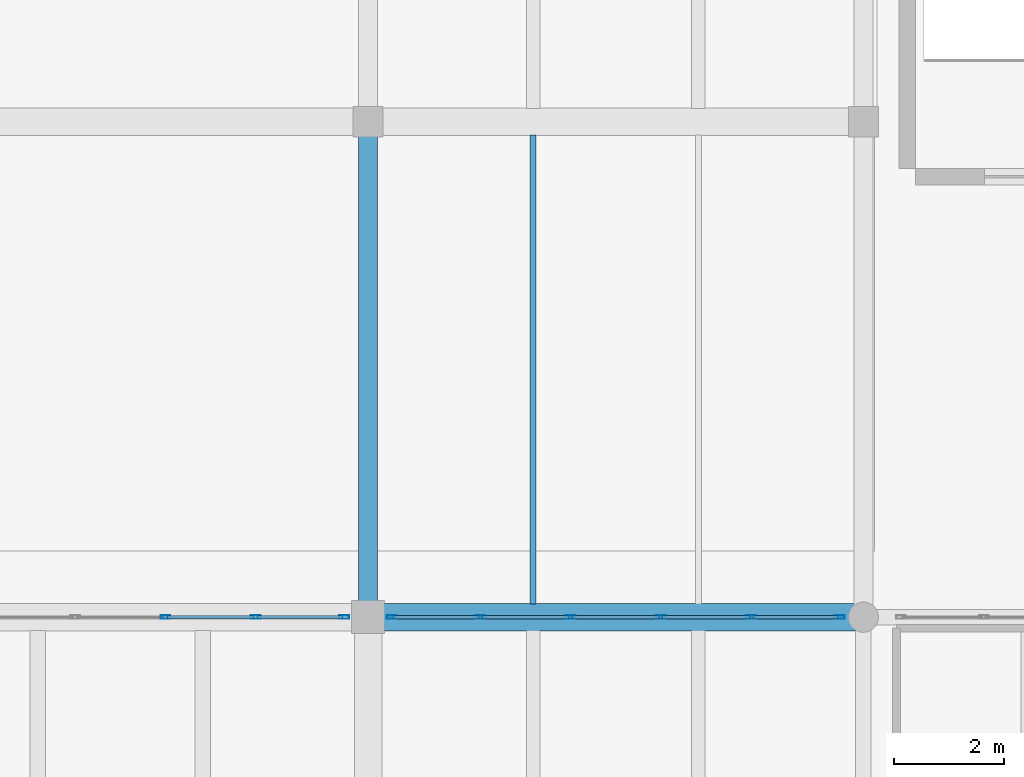
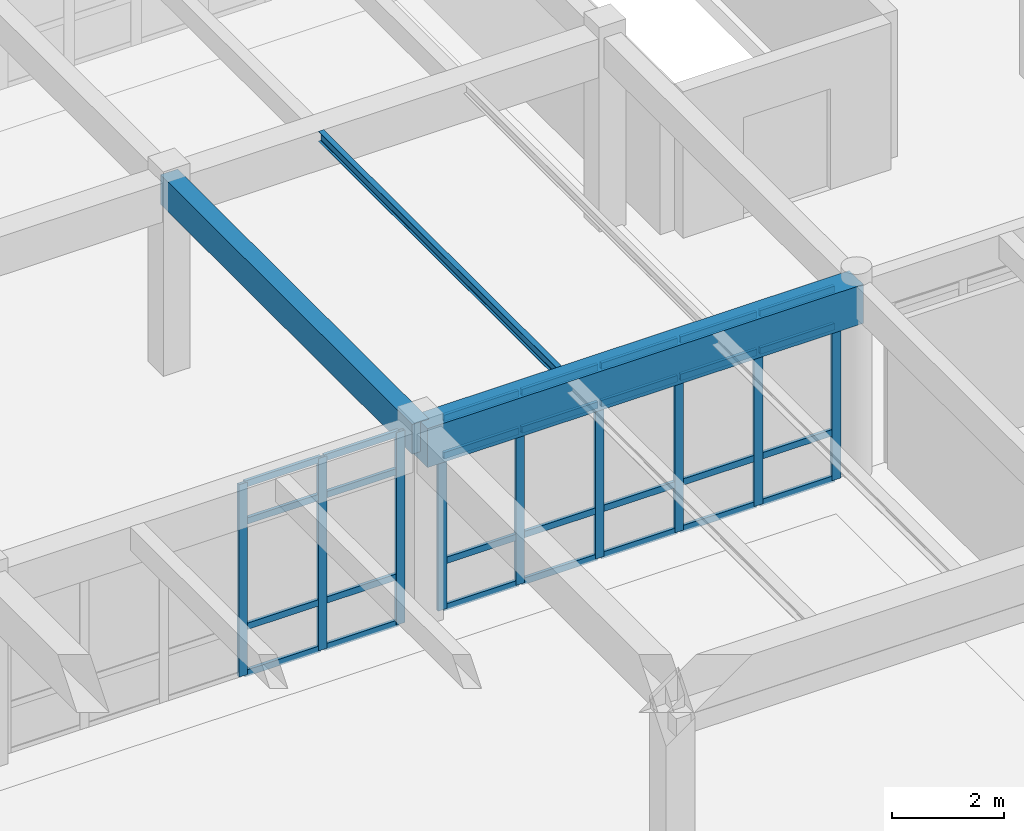
# One storey, part 86 of 186: 37 members, 3 beams, 2 elements without a shape of their own.
"""IFC4 building model written with IfcOpenShell, lengths in metres."""

from ifc_helpers import new_model, si_unit, direction, frame, origin, origin_2d, place, context, subcontext, project, spatial, rectangle, hollow_rectangle, i_section, extrude, material, layer, layer_set, material_profile, profile_set, type_object, element, aggregate, save


model = new_model("IFC4")

# Units and contexts
model_context = context("Model", 3, precision=1e-05, world=origin(), true_north=direction((0.0, 1.0)))
body_context = subcontext(model_context, "Body", "Model", "MODEL_VIEW")
ifc_project = project(units=[si_unit("LENGTHUNIT", "METRE"), si_unit("AREAUNIT", "SQUARE_METRE"), si_unit("VOLUMEUNIT", "CUBIC_METRE"), si_unit("PLANEANGLEUNIT", "RADIAN"), si_unit("MASSUNIT", "GRAM", prefix="KILO")], contexts=[model_context])

# Site, building, storey
site_placement = place(None, origin())
site = spatial("IfcSite", under=ifc_project, at=site_placement, CompositionType="ELEMENT")
building_placement = place(site_placement, origin())
building = spatial("IfcBuilding", under=site, at=building_placement, Name="Ornek Quay Market", CompositionType="ELEMENT")
storey_placement = place(building_placement, origin())
storey = spatial("IfcBuildingStorey", under=building, at=storey_placement, Name="L00", CompositionType="ELEMENT", Elevation=0.0)

# Beams
ifc_material_1 = material(Name="Concrete C35/45", Category="concrete")
ifc_material_profile_1 = material_profile(ifc_material_1, rectangle(XDim=0.35009765625, YDim=0.64990234375, at=origin_2d()), Name="RC 350x650", Category="concrete")
ifc_profile_set_1 = profile_set([ifc_material_profile_1], Name="Concrete C35/45")
beam_type_1 = type_object("IfcBeamType", Name="BM-CONC-350x650", PredefinedType="BEAM", material=ifc_profile_set_1)
beam_1_placement = place(storey_placement, frame((99.0, 92.0, 3.9150390625), z_axis=(0.0, 1.0, 0.0), x_axis=(-1.0, 0.0, 0.0)))
element("IfcBeam", 1, at=beam_1_placement, inside=storey, type_object=beam_type_1, Name="Primary beam B-CN1-105", PredefinedType="BEAM", context=body_context, shape_type="SweptSolid", body=[
    extrude(rectangle(XDim=0.35009765625, YDim=0.64990234375, at=origin_2d()), origin(), (0.0, 0.0, 1.0), 9.0),
])
ifc_material_2 = material(Name="Concrete C40/50", Category="concrete")
ifc_material_profile_2 = material_profile(ifc_material_2, rectangle(XDim=0.5, YDim=0.85009765625, at=origin_2d()), Name="RC 500x850", Category="concrete")
ifc_profile_set_2 = profile_set([ifc_material_profile_2], Name="Concrete C40/50")
beam_type_2 = type_object("IfcBeamType", Name="BM-GAL-500x850", PredefinedType="BEAM", material=ifc_profile_set_2)
beam_2_placement = place(storey_placement, frame((99.0, 92.0, 3.81494140625), z_axis=(1.0, 0.0, 0.0), x_axis=(0.0, 1.0, 0.0)))
element("IfcBeam", 2, at=beam_2_placement, inside=storey, type_object=beam_type_2, Name="Primary beam B-GL1-054", PredefinedType="BEAM", context=body_context, shape_type="SweptSolid", body=[
    extrude(rectangle(XDim=0.5, YDim=0.85009765625, at=origin_2d()), origin(), (0.0, 0.0, 1.0), 9.0),
])
ifc_material_3 = material(Name="Steel S355", Category="steel")
ifc_material_profile_3 = material_profile(ifc_material_3, i_section(OverallWidth=0.110107421875, OverallDepth=0.219970703125, WebThickness=0.005859375, FlangeThickness=0.00927734375, FilletRadius=0.011962890625, at=origin_2d()), Name="IPE 220", Category="steel")
ifc_profile_set_3 = profile_set([ifc_material_profile_3], Name="Steel S355")
beam_type_3 = type_object("IfcBeamType", Name="BM-STL-IPE220", PredefinedType="JOIST", material=ifc_profile_set_3)
beam_3_placement = place(storey_placement, frame((102.0, 92.241943359375, 4.1298828125), z_axis=(0.0, 1.0, 0.0), x_axis=(-1.0, 0.0, 0.0)))
element("IfcBeam", 3, at=beam_3_placement, inside=storey, type_object=beam_type_3, Name="Secondary joist SB-03-018", PredefinedType="JOIST", context=body_context, shape_type="SweptSolid", body=[
    extrude(i_section(OverallWidth=0.110107421875, OverallDepth=0.219970703125, WebThickness=0.005859375, FlangeThickness=0.00927734375, FilletRadius=0.011962890625, at=origin_2d()), origin(), (0.0, 0.0, 1.0), 8.51611328125),
])

# Curtain wall, members
ifc_material_4 = material(Name="Anodised bronze aluminium and triple low-e glass", Category="aluminium")
ifc_layer = layer(ifc_material_4, 0.139892578125, Name="Anodised bronze aluminium and triple low-e glass", Category="aluminium")
ifc_layer_set = layer_set([ifc_layer], Name="Anodised bronze aluminium and triple low-e glass")
curtain_wall_type = type_object("IfcCurtainWallType", Name="CW-GALLERY-INT", PredefinedType="USERDEFINED", material=ifc_layer_set)
curtain_wall_1_placement = place(storey_placement, origin())
curtain_wall_1 = element("IfcCurtainWall", 4, at=curtain_wall_1_placement, inside=storey, type_object=curtain_wall_type, Name="Curtain wall CW-124", ObjectType="CURTAIN WALL", PredefinedType="USERDEFINED")
ifc_material_5 = material(Name="Anodised aluminium 6063-T6", Category="aluminium")
ifc_material_profile_4 = material_profile(ifc_material_5, hollow_rectangle(XDim=0.06494140625, YDim=0.179931640625, WallThickness=0.00439453125, at=origin_2d()), Name="CW-MUL-65x180", Category="aluminium")
ifc_profile_set_4 = profile_set([ifc_material_profile_4], Name="Anodised aluminium 6063-T6")
member_type_1 = type_object("IfcMemberType", Name="CW-MUL-65x180", PredefinedType="MULLION", material=ifc_profile_set_4)
member_1_placement = place(storey_placement, frame((95.320068359375, 92.0, 0.0), z_axis=(0.0, 0.0, 1.0), x_axis=(0.0, 1.0, 0.0)))
member_1 = element("IfcMember", 5, at=member_1_placement, type_object=member_type_1, Name="CW-124 mullion 4", PredefinedType="MULLION", context=body_context, shape_type="SweptSolid", body=[
    extrude(hollow_rectangle(XDim=0.06494140625, YDim=0.179931640625, WallThickness=0.00439453125, at=origin_2d()), origin(), (0.0, 0.0, 1.0), 4.199951171875),
])
member_2_placement = place(storey_placement, frame((96.9599609375, 92.0, 0.0), z_axis=(0.0, 0.0, 1.0), x_axis=(0.0, 1.0, 0.0)))
member_2 = element("IfcMember", 6, at=member_2_placement, type_object=member_type_1, Name="CW-124 mullion 5", PredefinedType="MULLION", context=body_context, shape_type="SweptSolid", body=[
    extrude(hollow_rectangle(XDim=0.06494140625, YDim=0.179931640625, WallThickness=0.00439453125, at=origin_2d()), origin(), (0.0, 0.0, 1.0), 4.199951171875),
])
member_3_placement = place(storey_placement, frame((98.5673828125, 92.0, 0.0), z_axis=(0.0, 0.0, 1.0), x_axis=(0.0, 1.0, 0.0)))
member_3 = element("IfcMember", 7, at=member_3_placement, type_object=member_type_1, Name="CW-124 mullion 6", PredefinedType="MULLION", context=body_context, shape_type="SweptSolid", body=[
    extrude(hollow_rectangle(XDim=0.06494140625, YDim=0.179931640625, WallThickness=0.00439453125, at=origin_2d()), origin(), (0.0, 0.0, 1.0), 4.199951171875),
])

curtain_wall_2_placement = place(storey_placement, origin())
curtain_wall_2 = element("IfcCurtainWall", 8, at=curtain_wall_2_placement, inside=storey, type_object=curtain_wall_type, Name="Curtain wall CW-125", ObjectType="CURTAIN WALL", PredefinedType="USERDEFINED")
member_4_placement = place(storey_placement, frame((99.4326171875, 92.0, 0.0), z_axis=(0.0, 0.0, 1.0), x_axis=(0.0, 1.0, 0.0)))
member_4 = element("IfcMember", 9, at=member_4_placement, type_object=member_type_1, Name="CW-125 mullion 1", PredefinedType="MULLION", context=body_context, shape_type="SweptSolid", body=[
    extrude(hollow_rectangle(XDim=0.06494140625, YDim=0.179931640625, WallThickness=0.00439453125, at=origin_2d()), origin(), (0.0, 0.0, 1.0), 4.199951171875),
])
member_5_placement = place(storey_placement, frame((101.0400390625, 92.0, 0.0), z_axis=(0.0, 0.0, 1.0), x_axis=(0.0, 1.0, 0.0)))
member_5 = element("IfcMember", 10, at=member_5_placement, type_object=member_type_1, Name="CW-125 mullion 2", PredefinedType="MULLION", context=body_context, shape_type="SweptSolid", body=[
    extrude(hollow_rectangle(XDim=0.06494140625, YDim=0.179931640625, WallThickness=0.00439453125, at=origin_2d()), origin(), (0.0, 0.0, 1.0), 4.199951171875),
])
member_6_placement = place(storey_placement, frame((102.679931640625, 92.0, 0.0), z_axis=(0.0, 0.0, 1.0), x_axis=(0.0, 1.0, 0.0)))
member_6 = element("IfcMember", 11, at=member_6_placement, type_object=member_type_1, Name="CW-125 mullion 3", PredefinedType="MULLION", context=body_context, shape_type="SweptSolid", body=[
    extrude(hollow_rectangle(XDim=0.06494140625, YDim=0.179931640625, WallThickness=0.00439453125, at=origin_2d()), origin(), (0.0, 0.0, 1.0), 4.199951171875),
])
member_7_placement = place(storey_placement, frame((104.320068359375, 92.0, 0.0), z_axis=(0.0, 0.0, 1.0), x_axis=(0.0, 1.0, 0.0)))
member_7 = element("IfcMember", 12, at=member_7_placement, type_object=member_type_1, Name="CW-125 mullion 4", PredefinedType="MULLION", context=body_context, shape_type="SweptSolid", body=[
    extrude(hollow_rectangle(XDim=0.06494140625, YDim=0.179931640625, WallThickness=0.00439453125, at=origin_2d()), origin(), (0.0, 0.0, 1.0), 4.199951171875),
])
member_8_placement = place(storey_placement, frame((105.9599609375, 92.0, 0.0), z_axis=(0.0, 0.0, 1.0), x_axis=(0.0, 1.0, 0.0)))
member_8 = element("IfcMember", 13, at=member_8_placement, type_object=member_type_1, Name="CW-125 mullion 5", PredefinedType="MULLION", context=body_context, shape_type="SweptSolid", body=[
    extrude(hollow_rectangle(XDim=0.06494140625, YDim=0.179931640625, WallThickness=0.00439453125, at=origin_2d()), origin(), (0.0, 0.0, 1.0), 4.199951171875),
])
member_9_placement = place(storey_placement, frame((107.5673828125, 92.0, 0.0), z_axis=(0.0, 0.0, 1.0), x_axis=(0.0, 1.0, 0.0)))
member_9 = element("IfcMember", 14, at=member_9_placement, type_object=member_type_1, Name="CW-125 mullion 6", PredefinedType="MULLION", context=body_context, shape_type="SweptSolid", body=[
    extrude(hollow_rectangle(XDim=0.06494140625, YDim=0.179931640625, WallThickness=0.00439453125, at=origin_2d()), origin(), (0.0, 0.0, 1.0), 4.199951171875),
])

# Member
ifc_material_profile_5 = material_profile(ifc_material_5, hollow_rectangle(XDim=0.06494140625, YDim=0.139892578125, WallThickness=0.00439453125, at=origin_2d()), Name="CW-TRN-65x140", Category="aluminium")
ifc_profile_set_5 = profile_set([ifc_material_profile_5], Name="Anodised aluminium 6063-T6")
member_type_2 = type_object("IfcMemberType", Name="CW-TRN-65x140", PredefinedType="USERDEFINED", material=ifc_profile_set_5)
member_10_placement = place(storey_placement, frame((95.3525390625, 92.0, 0.032470703125), z_axis=(1.0, 0.0, 0.0), x_axis=(0.0, 1.0, 0.0)))
member_10 = element("IfcMember", 15, at=member_10_placement, type_object=member_type_2, Name="CW-124 transom 4.1", ObjectType="TRANSOM", PredefinedType="USERDEFINED", context=body_context, shape_type="SweptSolid", body=[
    extrude(hollow_rectangle(XDim=0.06494140625, YDim=0.139892578125, WallThickness=0.00439453125, at=origin_2d()), origin(), (0.0, 0.0, 1.0), 1.574951171875),
])

member_11_placement = place(storey_placement, frame((95.3525390625, 92.0, 1.050048828125), z_axis=(1.0, 0.0, 0.0), x_axis=(0.0, 1.0, 0.0)))
member_11 = element("IfcMember", 16, at=member_11_placement, type_object=member_type_2, Name="CW-124 transom 4.2", ObjectType="TRANSOM", PredefinedType="USERDEFINED", context=body_context, shape_type="SweptSolid", body=[
    extrude(hollow_rectangle(XDim=0.06494140625, YDim=0.139892578125, WallThickness=0.00439453125, at=origin_2d()), origin(), (0.0, 0.0, 1.0), 1.574951171875),
])

member_12_placement = place(storey_placement, frame((95.3525390625, 92.0, 3.35009765625), z_axis=(1.0, 0.0, 0.0), x_axis=(0.0, 1.0, 0.0)))
member_12 = element("IfcMember", 17, at=member_12_placement, type_object=member_type_2, Name="CW-124 transom 4.3", ObjectType="TRANSOM", PredefinedType="USERDEFINED", context=body_context, shape_type="SweptSolid", body=[
    extrude(hollow_rectangle(XDim=0.06494140625, YDim=0.139892578125, WallThickness=0.00439453125, at=origin_2d()), origin(), (0.0, 0.0, 1.0), 1.574951171875),
])

member_13_placement = place(storey_placement, frame((95.3525390625, 92.0, 4.16748046875), z_axis=(1.0, 0.0, 0.0), x_axis=(0.0, 1.0, 0.0)))
member_13 = element("IfcMember", 18, at=member_13_placement, type_object=member_type_2, Name="CW-124 transom 4.4", ObjectType="TRANSOM", PredefinedType="USERDEFINED", context=body_context, shape_type="SweptSolid", body=[
    extrude(hollow_rectangle(XDim=0.06494140625, YDim=0.139892578125, WallThickness=0.00439453125, at=origin_2d()), origin(), (0.0, 0.0, 1.0), 1.574951171875),
])

member_14_placement = place(storey_placement, frame((96.992431640625, 92.0, 0.032470703125), z_axis=(1.0, 0.0, 0.0), x_axis=(0.0, 1.0, 0.0)))
member_14 = element("IfcMember", 19, at=member_14_placement, type_object=member_type_2, Name="CW-124 transom 5.1", ObjectType="TRANSOM", PredefinedType="USERDEFINED", context=body_context, shape_type="SweptSolid", body=[
    extrude(hollow_rectangle(XDim=0.06494140625, YDim=0.139892578125, WallThickness=0.00439453125, at=origin_2d()), origin(), (0.0, 0.0, 1.0), 1.54248046875),
])

member_15_placement = place(storey_placement, frame((96.992431640625, 92.0, 1.050048828125), z_axis=(1.0, 0.0, 0.0), x_axis=(0.0, 1.0, 0.0)))
member_15 = element("IfcMember", 20, at=member_15_placement, type_object=member_type_2, Name="CW-124 transom 5.2", ObjectType="TRANSOM", PredefinedType="USERDEFINED", context=body_context, shape_type="SweptSolid", body=[
    extrude(hollow_rectangle(XDim=0.06494140625, YDim=0.139892578125, WallThickness=0.00439453125, at=origin_2d()), origin(), (0.0, 0.0, 1.0), 1.54248046875),
])

member_16_placement = place(storey_placement, frame((96.992431640625, 92.0, 3.35009765625), z_axis=(1.0, 0.0, 0.0), x_axis=(0.0, 1.0, 0.0)))
member_16 = element("IfcMember", 21, at=member_16_placement, type_object=member_type_2, Name="CW-124 transom 5.3", ObjectType="TRANSOM", PredefinedType="USERDEFINED", context=body_context, shape_type="SweptSolid", body=[
    extrude(hollow_rectangle(XDim=0.06494140625, YDim=0.139892578125, WallThickness=0.00439453125, at=origin_2d()), origin(), (0.0, 0.0, 1.0), 1.54248046875),
])

member_17_placement = place(storey_placement, frame((96.992431640625, 92.0, 4.16748046875), z_axis=(1.0, 0.0, 0.0), x_axis=(0.0, 1.0, 0.0)))
member_17 = element("IfcMember", 22, at=member_17_placement, type_object=member_type_2, Name="CW-124 transom 5.4", ObjectType="TRANSOM", PredefinedType="USERDEFINED", context=body_context, shape_type="SweptSolid", body=[
    extrude(hollow_rectangle(XDim=0.06494140625, YDim=0.139892578125, WallThickness=0.00439453125, at=origin_2d()), origin(), (0.0, 0.0, 1.0), 1.54248046875),
])

aggregate(curtain_wall_1, [member_1, member_2, member_3, member_10, member_11, member_12, member_13, member_14, member_15, member_16, member_17])

member_18_placement = place(storey_placement, frame((99.465087890625, 92.0, 0.032470703125), z_axis=(1.0, 0.0, 0.0), x_axis=(0.0, 1.0, 0.0)))
member_18 = element("IfcMember", 23, at=member_18_placement, type_object=member_type_2, Name="CW-125 transom 1.1", ObjectType="TRANSOM", PredefinedType="USERDEFINED", context=body_context, shape_type="SweptSolid", body=[
    extrude(hollow_rectangle(XDim=0.06494140625, YDim=0.139892578125, WallThickness=0.00439453125, at=origin_2d()), origin(), (0.0, 0.0, 1.0), 1.54248046875),
])

member_19_placement = place(storey_placement, frame((99.465087890625, 92.0, 1.050048828125), z_axis=(1.0, 0.0, 0.0), x_axis=(0.0, 1.0, 0.0)))
member_19 = element("IfcMember", 24, at=member_19_placement, type_object=member_type_2, Name="CW-125 transom 1.2", ObjectType="TRANSOM", PredefinedType="USERDEFINED", context=body_context, shape_type="SweptSolid", body=[
    extrude(hollow_rectangle(XDim=0.06494140625, YDim=0.139892578125, WallThickness=0.00439453125, at=origin_2d()), origin(), (0.0, 0.0, 1.0), 1.54248046875),
])

member_20_placement = place(storey_placement, frame((99.465087890625, 92.0, 3.35009765625), z_axis=(1.0, 0.0, 0.0), x_axis=(0.0, 1.0, 0.0)))
member_20 = element("IfcMember", 25, at=member_20_placement, type_object=member_type_2, Name="CW-125 transom 1.3", ObjectType="TRANSOM", PredefinedType="USERDEFINED", context=body_context, shape_type="SweptSolid", body=[
    extrude(hollow_rectangle(XDim=0.06494140625, YDim=0.139892578125, WallThickness=0.00439453125, at=origin_2d()), origin(), (0.0, 0.0, 1.0), 1.54248046875),
])

member_21_placement = place(storey_placement, frame((99.465087890625, 92.0, 4.16748046875), z_axis=(1.0, 0.0, 0.0), x_axis=(0.0, 1.0, 0.0)))
member_21 = element("IfcMember", 26, at=member_21_placement, type_object=member_type_2, Name="CW-125 transom 1.4", ObjectType="TRANSOM", PredefinedType="USERDEFINED", context=body_context, shape_type="SweptSolid", body=[
    extrude(hollow_rectangle(XDim=0.06494140625, YDim=0.139892578125, WallThickness=0.00439453125, at=origin_2d()), origin(), (0.0, 0.0, 1.0), 1.54248046875),
])

member_22_placement = place(storey_placement, frame((101.072509765625, 92.0, 0.032470703125), z_axis=(1.0, 0.0, 0.0), x_axis=(0.0, 1.0, 0.0)))
member_22 = element("IfcMember", 27, at=member_22_placement, type_object=member_type_2, Name="CW-125 transom 2.1", ObjectType="TRANSOM", PredefinedType="USERDEFINED", context=body_context, shape_type="SweptSolid", body=[
    extrude(hollow_rectangle(XDim=0.06494140625, YDim=0.139892578125, WallThickness=0.00439453125, at=origin_2d()), origin(), (0.0, 0.0, 1.0), 1.574951171875),
])

member_23_placement = place(storey_placement, frame((101.072509765625, 92.0, 1.050048828125), z_axis=(1.0, 0.0, 0.0), x_axis=(0.0, 1.0, 0.0)))
member_23 = element("IfcMember", 28, at=member_23_placement, type_object=member_type_2, Name="CW-125 transom 2.2", ObjectType="TRANSOM", PredefinedType="USERDEFINED", context=body_context, shape_type="SweptSolid", body=[
    extrude(hollow_rectangle(XDim=0.06494140625, YDim=0.139892578125, WallThickness=0.00439453125, at=origin_2d()), origin(), (0.0, 0.0, 1.0), 1.574951171875),
])

member_24_placement = place(storey_placement, frame((101.072509765625, 92.0, 3.35009765625), z_axis=(1.0, 0.0, 0.0), x_axis=(0.0, 1.0, 0.0)))
member_24 = element("IfcMember", 29, at=member_24_placement, type_object=member_type_2, Name="CW-125 transom 2.3", ObjectType="TRANSOM", PredefinedType="USERDEFINED", context=body_context, shape_type="SweptSolid", body=[
    extrude(hollow_rectangle(XDim=0.06494140625, YDim=0.139892578125, WallThickness=0.00439453125, at=origin_2d()), origin(), (0.0, 0.0, 1.0), 1.574951171875),
])

member_25_placement = place(storey_placement, frame((101.072509765625, 92.0, 4.16748046875), z_axis=(1.0, 0.0, 0.0), x_axis=(0.0, 1.0, 0.0)))
member_25 = element("IfcMember", 30, at=member_25_placement, type_object=member_type_2, Name="CW-125 transom 2.4", ObjectType="TRANSOM", PredefinedType="USERDEFINED", context=body_context, shape_type="SweptSolid", body=[
    extrude(hollow_rectangle(XDim=0.06494140625, YDim=0.139892578125, WallThickness=0.00439453125, at=origin_2d()), origin(), (0.0, 0.0, 1.0), 1.574951171875),
])

member_26_placement = place(storey_placement, frame((102.71240234375, 92.0, 0.032470703125), z_axis=(1.0, 0.0, 0.0), x_axis=(0.0, 1.0, 0.0)))
member_26 = element("IfcMember", 31, at=member_26_placement, type_object=member_type_2, Name="CW-125 transom 3.1", ObjectType="TRANSOM", PredefinedType="USERDEFINED", context=body_context, shape_type="SweptSolid", body=[
    extrude(hollow_rectangle(XDim=0.06494140625, YDim=0.139892578125, WallThickness=0.00439453125, at=origin_2d()), origin(), (0.0, 0.0, 1.0), 1.5751953125),
])

member_27_placement = place(storey_placement, frame((102.71240234375, 92.0, 1.050048828125), z_axis=(1.0, 0.0, 0.0), x_axis=(0.0, 1.0, 0.0)))
member_27 = element("IfcMember", 32, at=member_27_placement, type_object=member_type_2, Name="CW-125 transom 3.2", ObjectType="TRANSOM", PredefinedType="USERDEFINED", context=body_context, shape_type="SweptSolid", body=[
    extrude(hollow_rectangle(XDim=0.06494140625, YDim=0.139892578125, WallThickness=0.00439453125, at=origin_2d()), origin(), (0.0, 0.0, 1.0), 1.5751953125),
])

member_28_placement = place(storey_placement, frame((102.71240234375, 92.0, 3.35009765625), z_axis=(1.0, 0.0, 0.0), x_axis=(0.0, 1.0, 0.0)))
member_28 = element("IfcMember", 33, at=member_28_placement, type_object=member_type_2, Name="CW-125 transom 3.3", ObjectType="TRANSOM", PredefinedType="USERDEFINED", context=body_context, shape_type="SweptSolid", body=[
    extrude(hollow_rectangle(XDim=0.06494140625, YDim=0.139892578125, WallThickness=0.00439453125, at=origin_2d()), origin(), (0.0, 0.0, 1.0), 1.5751953125),
])

member_29_placement = place(storey_placement, frame((102.71240234375, 92.0, 4.16748046875), z_axis=(1.0, 0.0, 0.0), x_axis=(0.0, 1.0, 0.0)))
member_29 = element("IfcMember", 34, at=member_29_placement, type_object=member_type_2, Name="CW-125 transom 3.4", ObjectType="TRANSOM", PredefinedType="USERDEFINED", context=body_context, shape_type="SweptSolid", body=[
    extrude(hollow_rectangle(XDim=0.06494140625, YDim=0.139892578125, WallThickness=0.00439453125, at=origin_2d()), origin(), (0.0, 0.0, 1.0), 1.5751953125),
])

member_30_placement = place(storey_placement, frame((104.3525390625, 92.0, 0.032470703125), z_axis=(1.0, 0.0, 0.0), x_axis=(0.0, 1.0, 0.0)))
member_30 = element("IfcMember", 35, at=member_30_placement, type_object=member_type_2, Name="CW-125 transom 4.1", ObjectType="TRANSOM", PredefinedType="USERDEFINED", context=body_context, shape_type="SweptSolid", body=[
    extrude(hollow_rectangle(XDim=0.06494140625, YDim=0.139892578125, WallThickness=0.00439453125, at=origin_2d()), origin(), (0.0, 0.0, 1.0), 1.574951171875),
])

member_31_placement = place(storey_placement, frame((104.3525390625, 92.0, 1.050048828125), z_axis=(1.0, 0.0, 0.0), x_axis=(0.0, 1.0, 0.0)))
member_31 = element("IfcMember", 36, at=member_31_placement, type_object=member_type_2, Name="CW-125 transom 4.2", ObjectType="TRANSOM", PredefinedType="USERDEFINED", context=body_context, shape_type="SweptSolid", body=[
    extrude(hollow_rectangle(XDim=0.06494140625, YDim=0.139892578125, WallThickness=0.00439453125, at=origin_2d()), origin(), (0.0, 0.0, 1.0), 1.574951171875),
])

member_32_placement = place(storey_placement, frame((104.3525390625, 92.0, 3.35009765625), z_axis=(1.0, 0.0, 0.0), x_axis=(0.0, 1.0, 0.0)))
member_32 = element("IfcMember", 37, at=member_32_placement, type_object=member_type_2, Name="CW-125 transom 4.3", ObjectType="TRANSOM", PredefinedType="USERDEFINED", context=body_context, shape_type="SweptSolid", body=[
    extrude(hollow_rectangle(XDim=0.06494140625, YDim=0.139892578125, WallThickness=0.00439453125, at=origin_2d()), origin(), (0.0, 0.0, 1.0), 1.574951171875),
])

member_33_placement = place(storey_placement, frame((104.3525390625, 92.0, 4.16748046875), z_axis=(1.0, 0.0, 0.0), x_axis=(0.0, 1.0, 0.0)))
member_33 = element("IfcMember", 38, at=member_33_placement, type_object=member_type_2, Name="CW-125 transom 4.4", ObjectType="TRANSOM", PredefinedType="USERDEFINED", context=body_context, shape_type="SweptSolid", body=[
    extrude(hollow_rectangle(XDim=0.06494140625, YDim=0.139892578125, WallThickness=0.00439453125, at=origin_2d()), origin(), (0.0, 0.0, 1.0), 1.574951171875),
])

member_34_placement = place(storey_placement, frame((105.992431640625, 92.0, 0.032470703125), z_axis=(1.0, 0.0, 0.0), x_axis=(0.0, 1.0, 0.0)))
member_34 = element("IfcMember", 39, at=member_34_placement, type_object=member_type_2, Name="CW-125 transom 5.1", ObjectType="TRANSOM", PredefinedType="USERDEFINED", context=body_context, shape_type="SweptSolid", body=[
    extrude(hollow_rectangle(XDim=0.06494140625, YDim=0.139892578125, WallThickness=0.00439453125, at=origin_2d()), origin(), (0.0, 0.0, 1.0), 1.54248046875),
])

member_35_placement = place(storey_placement, frame((105.992431640625, 92.0, 1.050048828125), z_axis=(1.0, 0.0, 0.0), x_axis=(0.0, 1.0, 0.0)))
member_35 = element("IfcMember", 40, at=member_35_placement, type_object=member_type_2, Name="CW-125 transom 5.2", ObjectType="TRANSOM", PredefinedType="USERDEFINED", context=body_context, shape_type="SweptSolid", body=[
    extrude(hollow_rectangle(XDim=0.06494140625, YDim=0.139892578125, WallThickness=0.00439453125, at=origin_2d()), origin(), (0.0, 0.0, 1.0), 1.54248046875),
])

member_36_placement = place(storey_placement, frame((105.992431640625, 92.0, 3.35009765625), z_axis=(1.0, 0.0, 0.0), x_axis=(0.0, 1.0, 0.0)))
member_36 = element("IfcMember", 41, at=member_36_placement, type_object=member_type_2, Name="CW-125 transom 5.3", ObjectType="TRANSOM", PredefinedType="USERDEFINED", context=body_context, shape_type="SweptSolid", body=[
    extrude(hollow_rectangle(XDim=0.06494140625, YDim=0.139892578125, WallThickness=0.00439453125, at=origin_2d()), origin(), (0.0, 0.0, 1.0), 1.54248046875),
])

member_37_placement = place(storey_placement, frame((105.992431640625, 92.0, 4.16748046875), z_axis=(1.0, 0.0, 0.0), x_axis=(0.0, 1.0, 0.0)))
member_37 = element("IfcMember", 42, at=member_37_placement, type_object=member_type_2, Name="CW-125 transom 5.4", ObjectType="TRANSOM", PredefinedType="USERDEFINED", context=body_context, shape_type="SweptSolid", body=[
    extrude(hollow_rectangle(XDim=0.06494140625, YDim=0.139892578125, WallThickness=0.00439453125, at=origin_2d()), origin(), (0.0, 0.0, 1.0), 1.54248046875),
])

aggregate(curtain_wall_2, [member_4, member_5, member_6, member_7, member_8, member_9, member_18, member_19, member_20, member_21, member_22, member_23, member_24, member_25, member_26, member_27, member_28, member_29, member_30, member_31, member_32, member_33, member_34, member_35, member_36, member_37])

save(model, "model.ifc")
